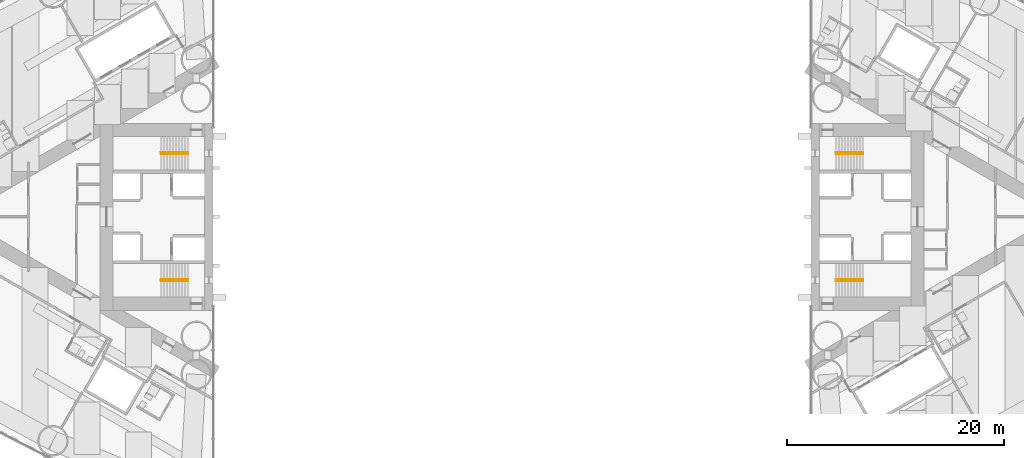
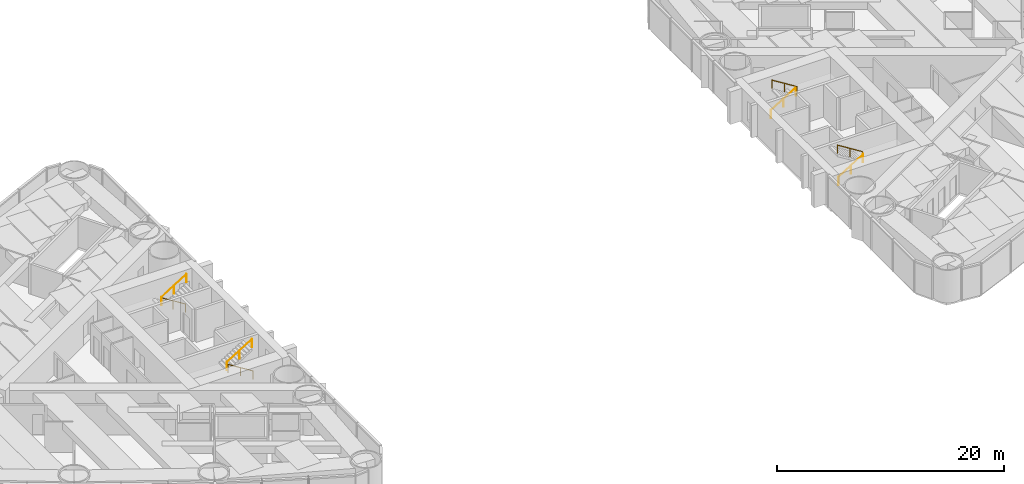
# One storey, part 18 of 19: 8 railings.
"""IFC4 building model written with IfcOpenShell, lengths in metres."""

from ifc_helpers import new_model, si_unit, direction, frame, origin, origin_2d, place, context, subcontext, project, spatial, circle, extrude, material, type_object, element, save


model = new_model("IFC4")

# Units and contexts
model_context = context("Model", 3, precision=1e-05, world=origin(), true_north=direction((0.0, 1.0)))
body_context = subcontext(model_context, "Body", "Model", "MODEL_VIEW")
ifc_project = project(units=[si_unit("LENGTHUNIT", "METRE"), si_unit("AREAUNIT", "SQUARE_METRE"), si_unit("VOLUMEUNIT", "CUBIC_METRE"), si_unit("PLANEANGLEUNIT", "RADIAN"), si_unit("MASSUNIT", "GRAM", prefix="KILO")], contexts=[model_context])

# Site, building, storey
site_placement = place(None, origin())
site = spatial("IfcSite", under=ifc_project, at=site_placement, CompositionType="ELEMENT")
building_placement = place(site_placement, origin())
building = spatial("IfcBuilding", under=site, at=building_placement, Name="Lancet Gate Hotel", CompositionType="ELEMENT")
storey_placement = place(building_placement, frame((0.0, 0.0, 21.5)))
storey = spatial("IfcBuildingStorey", under=building, at=storey_placement, Name="L04", CompositionType="ELEMENT", Elevation=21.5)

# Railings
ifc_material = material(Name="Stainless steel handrail", Category="steel")
railing_type = type_object("IfcRailingType", Name="Stair handrail 900", PredefinedType="HANDRAIL", material=ifc_material)
railing_1_placement = place(storey_placement, frame((-29.800048828125, 5.929931640625, 0.175048828125)))
element("IfcRailing", 1, at=railing_1_placement, inside=storey, type_object=railing_type, Name="ST1 handrail flight 1 L04", PredefinedType="HANDRAIL", context=body_context, shape_type="SweptSolid", body=[
    extrude(circle(Radius=0.02392578125, at=origin_2d()), frame((0.0, 0.0, 0.8759765625), z_axis=(-0.848007534815, 0.0, 0.529984170421), x_axis=(0.0, -1.0, 0.0)), (0.0, 0.0, 1.0), 2.9716796875),
    extrude(circle(Radius=0.02099609375, at=origin_2d()), origin(), (0.0, 0.0, 1.0), 0.851806640625),
    extrude(circle(Radius=0.02099609375, at=origin_2d()), frame((-1.260009765625, 0.0, 0.78759765625)), (0.0, 0.0, 1.0), 0.851806640625),
    extrude(circle(Radius=0.02099609375, at=origin_2d()), frame((-2.52001953125, 0.0, 1.574951171875)), (0.0, 0.0, 1.0), 0.851806640625),
])
railing_2_placement = place(storey_placement, frame((-32.320068359375, 5.77001953125, 1.925048828125)))
element("IfcRailing", 2, at=railing_2_placement, inside=storey, type_object=railing_type, Name="ST1 handrail flight 2 L04", PredefinedType="HANDRAIL", context=body_context, shape_type="SweptSolid", body=[
    extrude(circle(Radius=0.02392578125, at=origin_2d()), frame((0.0, 0.0, 0.8759765625), z_axis=(0.848007534815, 0.0, 0.529984170421), x_axis=(0.0, 1.0, 0.0)), (0.0, 0.0, 1.0), 2.9716796875),
    extrude(circle(Radius=0.02099609375, at=origin_2d()), origin(), (0.0, 0.0, 1.0), 0.851806640625),
    extrude(circle(Radius=0.02099609375, at=origin_2d()), frame((1.260009765625, 0.0, 0.78759765625)), (0.0, 0.0, 1.0), 0.851806640625),
    extrude(circle(Radius=0.02099609375, at=origin_2d()), frame((2.52001953125, 0.0, 1.574951171875)), (0.0, 0.0, 1.0), 0.851806640625),
])
railing_3_placement = place(storey_placement, frame((-29.800048828125, -5.929931640625, 0.175048828125)))
element("IfcRailing", 3, at=railing_3_placement, inside=storey, type_object=railing_type, Name="ST2 handrail flight 1 L04", PredefinedType="HANDRAIL", context=body_context, shape_type="SweptSolid", body=[
    extrude(circle(Radius=0.02392578125, at=origin_2d()), frame((0.0, 0.0, 0.8759765625), z_axis=(-0.848007534815, 0.0, 0.529984170421), x_axis=(0.0, -1.0, 0.0)), (0.0, 0.0, 1.0), 2.9716796875),
    extrude(circle(Radius=0.02099609375, at=origin_2d()), origin(), (0.0, 0.0, 1.0), 0.851806640625),
    extrude(circle(Radius=0.02099609375, at=origin_2d()), frame((-1.260009765625, 0.0, 0.78759765625)), (0.0, 0.0, 1.0), 0.851806640625),
    extrude(circle(Radius=0.02099609375, at=origin_2d()), frame((-2.52001953125, 0.0, 1.574951171875)), (0.0, 0.0, 1.0), 0.851806640625),
])
for number, where, name in (
    (4, (-32.320068359375, -5.77001953125, 1.925048828125), "ST2 handrail flight 2 L04"),
    (5, (29.800048828125, -5.929931640625, 0.175048828125), "ST3 handrail flight 1 L04"),
):
    element("IfcRailing", number, at=place(storey_placement, frame(where)), inside=storey, type_object=railing_type, Name=name, PredefinedType="HANDRAIL", context=body_context, shape_type="SweptSolid", body=[
        extrude(circle(Radius=0.02392578125, at=origin_2d()), frame((0.0, 0.0, 0.8759765625), z_axis=(0.848007534815, 0.0, 0.529984170421), x_axis=(0.0, 1.0, 0.0)), (0.0, 0.0, 1.0), 2.9716796875),
        extrude(circle(Radius=0.02099609375, at=origin_2d()), origin(), (0.0, 0.0, 1.0), 0.851806640625),
        extrude(circle(Radius=0.02099609375, at=origin_2d()), frame((1.260009765625, 0.0, 0.78759765625)), (0.0, 0.0, 1.0), 0.851806640625),
        extrude(circle(Radius=0.02099609375, at=origin_2d()), frame((2.52001953125, 0.0, 1.574951171875)), (0.0, 0.0, 1.0), 0.851806640625),
    ])
railing_4_placement = place(storey_placement, frame((32.320068359375, -5.77001953125, 1.925048828125)))
element("IfcRailing", 6, at=railing_4_placement, inside=storey, type_object=railing_type, Name="ST3 handrail flight 2 L04", PredefinedType="HANDRAIL", context=body_context, shape_type="SweptSolid", body=[
    extrude(circle(Radius=0.02392578125, at=origin_2d()), frame((0.0, 0.0, 0.8759765625), z_axis=(-0.848007534815, 0.0, 0.529984170421), x_axis=(0.0, -1.0, 0.0)), (0.0, 0.0, 1.0), 2.9716796875),
    extrude(circle(Radius=0.02099609375, at=origin_2d()), origin(), (0.0, 0.0, 1.0), 0.851806640625),
    extrude(circle(Radius=0.02099609375, at=origin_2d()), frame((-1.260009765625, 0.0, 0.78759765625)), (0.0, 0.0, 1.0), 0.851806640625),
    extrude(circle(Radius=0.02099609375, at=origin_2d()), frame((-2.52001953125, 0.0, 1.574951171875)), (0.0, 0.0, 1.0), 0.851806640625),
])
railing_5_placement = place(storey_placement, frame((29.800048828125, 5.929931640625, 0.175048828125)))
element("IfcRailing", 7, at=railing_5_placement, inside=storey, type_object=railing_type, Name="ST4 handrail flight 1 L04", PredefinedType="HANDRAIL", context=body_context, shape_type="SweptSolid", body=[
    extrude(circle(Radius=0.02392578125, at=origin_2d()), frame((0.0, 0.0, 0.8759765625), z_axis=(0.848007534815, 0.0, 0.529984170421), x_axis=(0.0, 1.0, 0.0)), (0.0, 0.0, 1.0), 2.9716796875),
    extrude(circle(Radius=0.02099609375, at=origin_2d()), origin(), (0.0, 0.0, 1.0), 0.851806640625),
    extrude(circle(Radius=0.02099609375, at=origin_2d()), frame((1.260009765625, 0.0, 0.78759765625)), (0.0, 0.0, 1.0), 0.851806640625),
    extrude(circle(Radius=0.02099609375, at=origin_2d()), frame((2.52001953125, 0.0, 1.574951171875)), (0.0, 0.0, 1.0), 0.851806640625),
])
railing_6_placement = place(storey_placement, frame((32.320068359375, 5.77001953125, 1.925048828125)))
element("IfcRailing", 8, at=railing_6_placement, inside=storey, type_object=railing_type, Name="ST4 handrail flight 2 L04", PredefinedType="HANDRAIL", context=body_context, shape_type="SweptSolid", body=[
    extrude(circle(Radius=0.02392578125, at=origin_2d()), frame((0.0, 0.0, 0.8759765625), z_axis=(-0.848007534815, 0.0, 0.529984170421), x_axis=(0.0, -1.0, 0.0)), (0.0, 0.0, 1.0), 2.9716796875),
    extrude(circle(Radius=0.02099609375, at=origin_2d()), origin(), (0.0, 0.0, 1.0), 0.851806640625),
    extrude(circle(Radius=0.02099609375, at=origin_2d()), frame((-1.260009765625, 0.0, 0.78759765625)), (0.0, 0.0, 1.0), 0.851806640625),
    extrude(circle(Radius=0.02099609375, at=origin_2d()), frame((-2.52001953125, 0.0, 1.574951171875)), (0.0, 0.0, 1.0), 0.851806640625),
])

save(model, "model.ifc")
